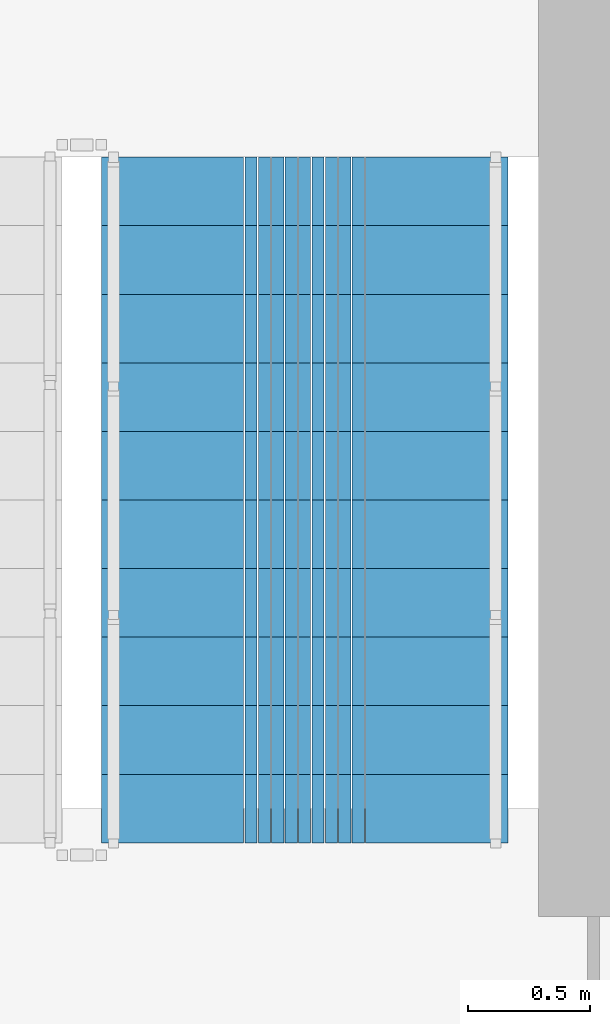
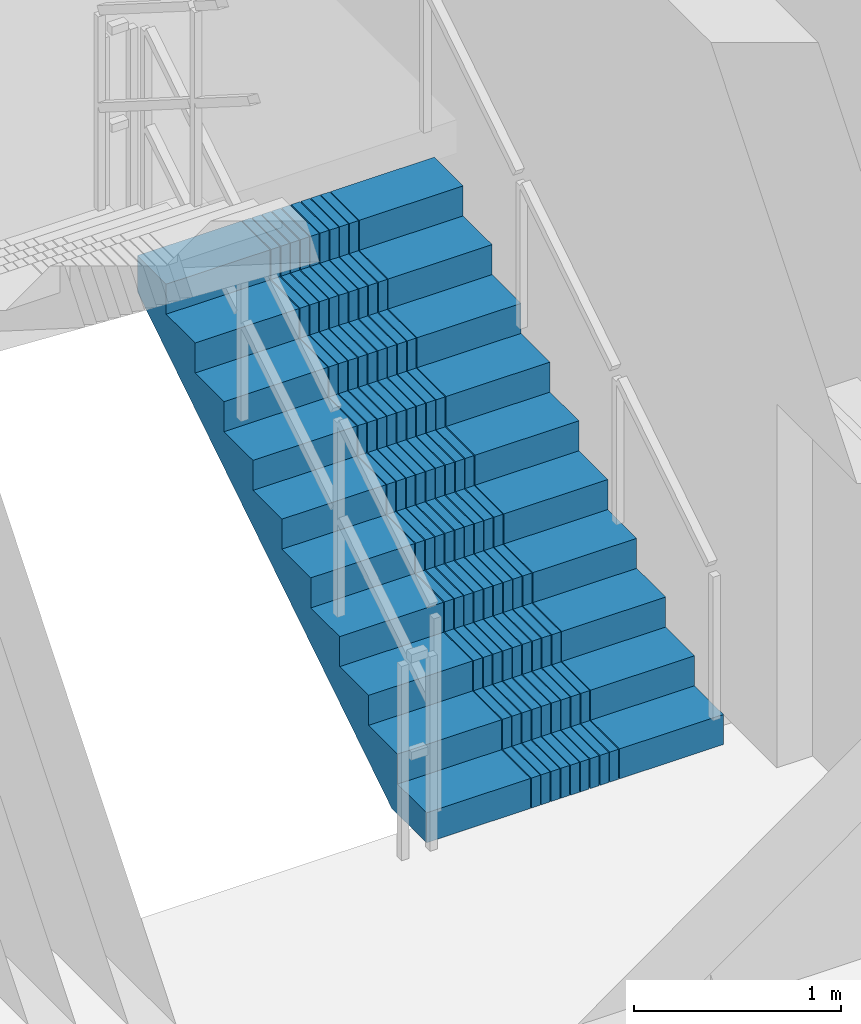
# One storey, part 9 of 14: 1 stair flight, 1 element without a shape of its own.
"""IFC4 building model written with IfcOpenShell, lengths in metres."""

from ifc_helpers import new_model, si_unit, direction, frame, origin, place, context, subcontext, project, spatial, polyline, outline, extrude, material, type_object, element, aggregate, save


model = new_model("IFC4")

# Units and contexts
model_context = context("Model", 3, precision=1e-05, world=origin(), true_north=direction((0.0, 1.0)))
body_context = subcontext(model_context, "Body", "Model", "MODEL_VIEW")
ifc_project = project(units=[si_unit("LENGTHUNIT", "METRE"), si_unit("AREAUNIT", "SQUARE_METRE"), si_unit("VOLUMEUNIT", "CUBIC_METRE"), si_unit("PLANEANGLEUNIT", "RADIAN"), si_unit("MASSUNIT", "GRAM", prefix="KILO")], contexts=[model_context])

# Site, building, storey
site_placement = place(None, origin())
site = spatial("IfcSite", under=ifc_project, at=site_placement, CompositionType="ELEMENT")
building_placement = place(site_placement, origin())
building = spatial("IfcBuilding", under=site, at=building_placement, Name="Saelheon Loggia Tower", CompositionType="ELEMENT")
storey_placement = place(building_placement, frame((0.0, 0.0, 182.800048828125)))
storey = spatial("IfcBuildingStorey", under=building, at=storey_placement, Name="L57", CompositionType="ELEMENT", Elevation=182.800048828125)

# Stair, stair flight
ifc_material = material(Name="Concrete C40/50", Category="concrete")
stair_type = type_object("IfcStairType", Name="Stair_Escape_Core", PredefinedType="HALF_TURN_STAIR", material=ifc_material)
stair_placement = place(storey_placement, origin())
stair = element("IfcStair", 1, at=stair_placement, inside=storey, type_object=stair_type, Name="L57 Special Escape Stair ST2", PredefinedType="HALF_TURN_STAIR")
stair_flight_type = type_object("IfcStairFlightType", Name="StairFlight_Tower_1660", PredefinedType="STRAIGHT", material=ifc_material)
stair_flight_placement = place(storey_placement, frame((43.320068359375, 30.449951171875, 0.0), z_axis=(0.0, 0.0, 1.0), x_axis=(0.0, 1.0, 0.0)))
stair_flight = element("IfcStairFlight", 2, at=stair_flight_placement, type_object=stair_flight_type, Name="ST2 flight 1", NumberOfRisers=11, NumberOfTreads=10, PredefinedType="STRAIGHT", RiserHeight=0.177272727, TreadLength=0.28, context=body_context, shape_type="SweptSolid", body=[
    extrude(outline(polyline([(0.0, 0.0), (0.0, 0.17724609375), (0.280029296875, 0.17724609375), (0.280029296875, 0.3544921875), (0.56005859375, 0.3544921875), (0.56005859375, 0.53173828125), (0.840087890625, 0.53173828125), (0.840087890625, 0.708984375), (1.1201171875, 0.708984375), (1.1201171875, 0.886474609375), (1.39990234375, 0.886474609375), (1.39990234375, 1.063720703125), (1.679931640625, 1.063720703125), (1.679931640625, 1.240966796875), (1.9599609375, 1.240966796875), (1.9599609375, 1.418212890625), (2.239990234375, 1.418212890625), (2.239990234375, 1.595458984375), (2.52001953125, 1.595458984375), (2.52001953125, 1.772705078125), (2.800048828125, 1.772705078125), (2.800048828125, 1.949951171875), (2.800048828125, 1.559814453125), (0.33642578125, 0.0), (0.0, 0.0)])), frame((0.0, -0.2490234375, 0.0), z_axis=(0.0, -1.0, 0.0), x_axis=(1.0, 0.0, 0.0)), (0.0, 0.0, 1.0), 0.5810546875),
    extrude(outline(polyline([(0.0, 0.0), (0.0, 0.17724609375), (0.280029296875, 0.17724609375), (0.280029296875, 0.3544921875), (0.56005859375, 0.3544921875), (0.56005859375, 0.53173828125), (0.840087890625, 0.53173828125), (0.840087890625, 0.708984375), (1.1201171875, 0.708984375), (1.1201171875, 0.886474609375), (1.39990234375, 0.886474609375), (1.39990234375, 1.063720703125), (1.679931640625, 1.063720703125), (1.679931640625, 1.240966796875), (1.9599609375, 1.240966796875), (1.9599609375, 1.418212890625), (2.239990234375, 1.418212890625), (2.239990234375, 1.595458984375), (2.52001953125, 1.595458984375), (2.52001953125, 1.772705078125), (2.800048828125, 1.772705078125), (2.800048828125, 1.949951171875), (2.800048828125, 1.559814453125), (0.33642578125, 0.0), (0.0, 0.0)])), frame((0.0, -0.194091796875, 0.0), z_axis=(0.0, -1.0, 0.0), x_axis=(1.0, 0.0, 0.0)), (0.0, 0.0, 1.0), 0.0498046875),
    extrude(outline(polyline([(0.0, 0.0), (0.0, 0.17724609375), (0.280029296875, 0.17724609375), (0.280029296875, 0.3544921875), (0.56005859375, 0.3544921875), (0.56005859375, 0.53173828125), (0.840087890625, 0.53173828125), (0.840087890625, 0.708984375), (1.1201171875, 0.708984375), (1.1201171875, 0.886474609375), (1.39990234375, 0.886474609375), (1.39990234375, 1.063720703125), (1.679931640625, 1.063720703125), (1.679931640625, 1.240966796875), (1.9599609375, 1.240966796875), (1.9599609375, 1.418212890625), (2.239990234375, 1.418212890625), (2.239990234375, 1.595458984375), (2.52001953125, 1.595458984375), (2.52001953125, 1.772705078125), (2.800048828125, 1.772705078125), (2.800048828125, 1.949951171875), (2.800048828125, 1.559814453125), (0.33642578125, 0.0), (0.0, 0.0)])), frame((0.0, -0.139404296875, 0.0), z_axis=(0.0, -1.0, 0.0), x_axis=(1.0, 0.0, 0.0)), (0.0, 0.0, 1.0), 0.0498046875),
    extrude(outline(polyline([(0.0, 0.0), (0.0, 0.17724609375), (0.280029296875, 0.17724609375), (0.280029296875, 0.3544921875), (0.56005859375, 0.3544921875), (0.56005859375, 0.53173828125), (0.840087890625, 0.53173828125), (0.840087890625, 0.708984375), (1.1201171875, 0.708984375), (1.1201171875, 0.886474609375), (1.39990234375, 0.886474609375), (1.39990234375, 1.063720703125), (1.679931640625, 1.063720703125), (1.679931640625, 1.240966796875), (1.9599609375, 1.240966796875), (1.9599609375, 1.418212890625), (2.239990234375, 1.418212890625), (2.239990234375, 1.595458984375), (2.52001953125, 1.595458984375), (2.52001953125, 1.772705078125), (2.800048828125, 1.772705078125), (2.800048828125, 1.949951171875), (2.800048828125, 1.559814453125), (0.33642578125, 0.0), (0.0, 0.0)])), frame((0.0, -0.084716796875, 0.0), z_axis=(0.0, -1.0, 0.0), x_axis=(1.0, 0.0, 0.0)), (0.0, 0.0, 1.0), 0.0498046875),
    extrude(outline(polyline([(0.0, 0.0), (0.0, 0.17724609375), (0.280029296875, 0.17724609375), (0.280029296875, 0.3544921875), (0.56005859375, 0.3544921875), (0.56005859375, 0.53173828125), (0.840087890625, 0.53173828125), (0.840087890625, 0.708984375), (1.1201171875, 0.708984375), (1.1201171875, 0.886474609375), (1.39990234375, 0.886474609375), (1.39990234375, 1.063720703125), (1.679931640625, 1.063720703125), (1.679931640625, 1.240966796875), (1.9599609375, 1.240966796875), (1.9599609375, 1.418212890625), (2.239990234375, 1.418212890625), (2.239990234375, 1.595458984375), (2.52001953125, 1.595458984375), (2.52001953125, 1.772705078125), (2.800048828125, 1.772705078125), (2.800048828125, 1.949951171875), (2.800048828125, 1.559814453125), (0.33642578125, 0.0), (0.0, 0.0)])), frame((0.0, -0.02978515625, 0.0), z_axis=(0.0, -1.0, 0.0), x_axis=(1.0, 0.0, 0.0)), (0.0, 0.0, 1.0), 0.0498046875),
    extrude(outline(polyline([(0.0, 0.0), (0.0, 0.17724609375), (0.280029296875, 0.17724609375), (0.280029296875, 0.3544921875), (0.56005859375, 0.3544921875), (0.56005859375, 0.53173828125), (0.840087890625, 0.53173828125), (0.840087890625, 0.708984375), (1.1201171875, 0.708984375), (1.1201171875, 0.886474609375), (1.39990234375, 0.886474609375), (1.39990234375, 1.063720703125), (1.679931640625, 1.063720703125), (1.679931640625, 1.240966796875), (1.9599609375, 1.240966796875), (1.9599609375, 1.418212890625), (2.239990234375, 1.418212890625), (2.239990234375, 1.595458984375), (2.52001953125, 1.595458984375), (2.52001953125, 1.772705078125), (2.800048828125, 1.772705078125), (2.800048828125, 1.949951171875), (2.800048828125, 1.559814453125), (0.33642578125, 0.0), (0.0, 0.0)])), frame((0.0, 0.02490234375, 0.0), z_axis=(0.0, -1.0, 0.0), x_axis=(1.0, 0.0, 0.0)), (0.0, 0.0, 1.0), 0.0498046875),
    extrude(outline(polyline([(0.0, 0.0), (0.0, 0.17724609375), (0.280029296875, 0.17724609375), (0.280029296875, 0.3544921875), (0.56005859375, 0.3544921875), (0.56005859375, 0.53173828125), (0.840087890625, 0.53173828125), (0.840087890625, 0.708984375), (1.1201171875, 0.708984375), (1.1201171875, 0.886474609375), (1.39990234375, 0.886474609375), (1.39990234375, 1.063720703125), (1.679931640625, 1.063720703125), (1.679931640625, 1.240966796875), (1.9599609375, 1.240966796875), (1.9599609375, 1.418212890625), (2.239990234375, 1.418212890625), (2.239990234375, 1.595458984375), (2.52001953125, 1.595458984375), (2.52001953125, 1.772705078125), (2.800048828125, 1.772705078125), (2.800048828125, 1.949951171875), (2.800048828125, 1.559814453125), (0.33642578125, 0.0), (0.0, 0.0)])), frame((0.0, 0.07958984375, 0.0), z_axis=(0.0, -1.0, 0.0), x_axis=(1.0, 0.0, 0.0)), (0.0, 0.0, 1.0), 0.0498046875),
    extrude(outline(polyline([(0.0, 0.0), (0.0, 0.17724609375), (0.280029296875, 0.17724609375), (0.280029296875, 0.3544921875), (0.56005859375, 0.3544921875), (0.56005859375, 0.53173828125), (0.840087890625, 0.53173828125), (0.840087890625, 0.708984375), (1.1201171875, 0.708984375), (1.1201171875, 0.886474609375), (1.39990234375, 0.886474609375), (1.39990234375, 1.063720703125), (1.679931640625, 1.063720703125), (1.679931640625, 1.240966796875), (1.9599609375, 1.240966796875), (1.9599609375, 1.418212890625), (2.239990234375, 1.418212890625), (2.239990234375, 1.595458984375), (2.52001953125, 1.595458984375), (2.52001953125, 1.772705078125), (2.800048828125, 1.772705078125), (2.800048828125, 1.949951171875), (2.800048828125, 1.559814453125), (0.33642578125, 0.0), (0.0, 0.0)])), frame((0.0, 0.134521484375, 0.0), z_axis=(0.0, -1.0, 0.0), x_axis=(1.0, 0.0, 0.0)), (0.0, 0.0, 1.0), 0.0498046875),
    extrude(outline(polyline([(0.0, 0.0), (0.0, 0.17724609375), (0.280029296875, 0.17724609375), (0.280029296875, 0.3544921875), (0.56005859375, 0.3544921875), (0.56005859375, 0.53173828125), (0.840087890625, 0.53173828125), (0.840087890625, 0.708984375), (1.1201171875, 0.708984375), (1.1201171875, 0.886474609375), (1.39990234375, 0.886474609375), (1.39990234375, 1.063720703125), (1.679931640625, 1.063720703125), (1.679931640625, 1.240966796875), (1.9599609375, 1.240966796875), (1.9599609375, 1.418212890625), (2.239990234375, 1.418212890625), (2.239990234375, 1.595458984375), (2.52001953125, 1.595458984375), (2.52001953125, 1.772705078125), (2.800048828125, 1.772705078125), (2.800048828125, 1.949951171875), (2.800048828125, 1.559814453125), (0.33642578125, 0.0), (0.0, 0.0)])), frame((0.0, 0.189208984375, 0.0), z_axis=(0.0, -1.0, 0.0), x_axis=(1.0, 0.0, 0.0)), (0.0, 0.0, 1.0), 0.0498046875),
    extrude(outline(polyline([(0.0, 0.0), (0.0, 0.17724609375), (0.280029296875, 0.17724609375), (0.280029296875, 0.3544921875), (0.56005859375, 0.3544921875), (0.56005859375, 0.53173828125), (0.840087890625, 0.53173828125), (0.840087890625, 0.708984375), (1.1201171875, 0.708984375), (1.1201171875, 0.886474609375), (1.39990234375, 0.886474609375), (1.39990234375, 1.063720703125), (1.679931640625, 1.063720703125), (1.679931640625, 1.240966796875), (1.9599609375, 1.240966796875), (1.9599609375, 1.418212890625), (2.239990234375, 1.418212890625), (2.239990234375, 1.595458984375), (2.52001953125, 1.595458984375), (2.52001953125, 1.772705078125), (2.800048828125, 1.772705078125), (2.800048828125, 1.949951171875), (2.800048828125, 1.559814453125), (0.33642578125, 0.0), (0.0, 0.0)])), frame((0.0, 0.243896484375, 0.0), z_axis=(0.0, -1.0, 0.0), x_axis=(1.0, 0.0, 0.0)), (0.0, 0.0, 1.0), 0.0498046875),
    extrude(outline(polyline([(0.0, 0.0), (0.0, 0.17724609375), (0.280029296875, 0.17724609375), (0.280029296875, 0.3544921875), (0.56005859375, 0.3544921875), (0.56005859375, 0.53173828125), (0.840087890625, 0.53173828125), (0.840087890625, 0.708984375), (1.1201171875, 0.708984375), (1.1201171875, 0.886474609375), (1.39990234375, 0.886474609375), (1.39990234375, 1.063720703125), (1.679931640625, 1.063720703125), (1.679931640625, 1.240966796875), (1.9599609375, 1.240966796875), (1.9599609375, 1.418212890625), (2.239990234375, 1.418212890625), (2.239990234375, 1.595458984375), (2.52001953125, 1.595458984375), (2.52001953125, 1.772705078125), (2.800048828125, 1.772705078125), (2.800048828125, 1.949951171875), (2.800048828125, 1.559814453125), (0.33642578125, 0.0), (0.0, 0.0)])), frame((0.0, 0.830078125, 0.0), z_axis=(0.0, -1.0, 0.0), x_axis=(1.0, 0.0, 0.0)), (0.0, 0.0, 1.0), 0.5810546875),
])
aggregate(stair, [stair_flight])

save(model, "model.ifc")
